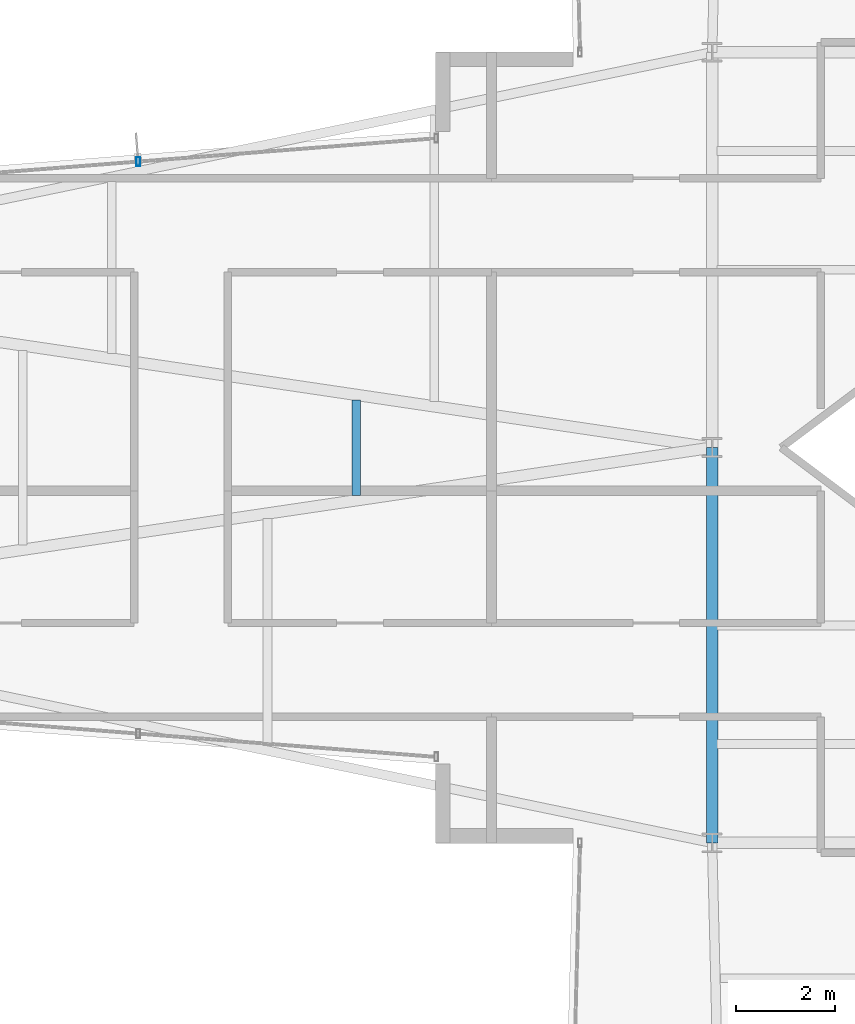
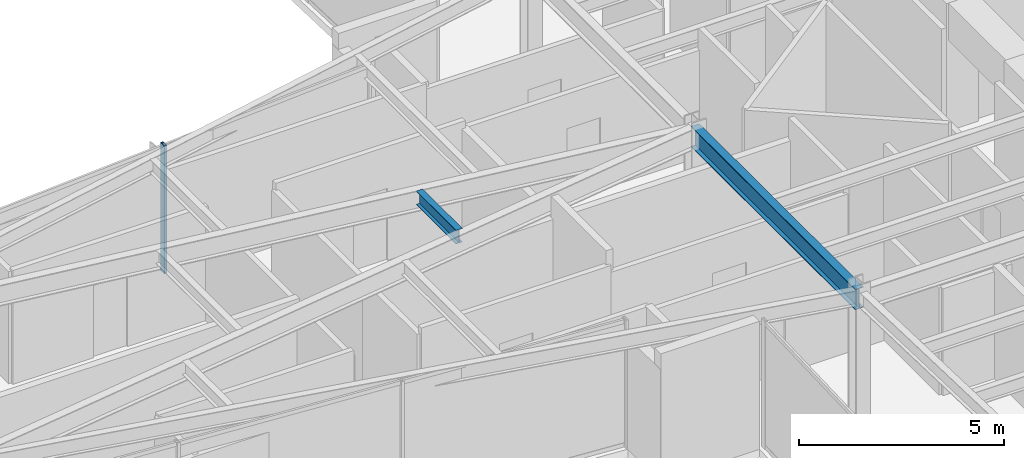
# One storey, part 11 of 30: 2 beams, 1 member, 1 element without a shape of its own.
"""IFC4 building model written with IfcOpenShell, lengths in metres."""

from ifc_helpers import new_model, si_unit, direction, frame, origin, origin_2d, place, context, subcontext, project, spatial, hollow_rectangle, i_section, extrude, material, layer, layer_set, material_profile, profile_set, type_object, element, aggregate, save


model = new_model("IFC4")

# Units and contexts
model_context = context("Model", 3, precision=1e-05, world=origin(), true_north=direction((0.0, 1.0)))
body_context = subcontext(model_context, "Body", "Model", "MODEL_VIEW")
ifc_project = project(units=[si_unit("LENGTHUNIT", "METRE"), si_unit("AREAUNIT", "SQUARE_METRE"), si_unit("VOLUMEUNIT", "CUBIC_METRE"), si_unit("PLANEANGLEUNIT", "RADIAN"), si_unit("MASSUNIT", "GRAM", prefix="KILO")], contexts=[model_context])

# Site, building, storey
site_placement = place(None, origin())
site = spatial("IfcSite", under=ifc_project, at=site_placement, CompositionType="ELEMENT")
building_placement = place(site_placement, origin())
building = spatial("IfcBuilding", under=site, at=building_placement, Name="Veymaron Broadcast Tower", CompositionType="ELEMENT")
storey_placement = place(building_placement, frame((0.0, 0.0, 66.14990234375)))
storey = spatial("IfcBuildingStorey", under=building, at=storey_placement, Name="L14", CompositionType="ELEMENT", Elevation=66.14990234375)

# Beams
ifc_material_1 = material(Name="Structural steel ASTM A992 Gr 50", Category="steel")
ifc_material_profile_1 = material_profile(ifc_material_1, i_section(OverallWidth=0.22998046875, OverallDepth=0.616943359375, WebThickness=0.01318359375, FlangeThickness=0.022216796875, at=origin_2d()), Name="W610X140")
ifc_profile_set_1 = profile_set([ifc_material_profile_1], Name="Structural steel ASTM A992 Gr 50")
beam_type_1 = type_object("IfcBeamType", Name="BM-FG1", PredefinedType="BEAM", material=ifc_profile_set_1)
beam_1_placement = place(storey_placement, frame((31.199951171875, 16.0, 3.501708984375), z_axis=(0.0, 1.0, 0.0), x_axis=(-1.0, 0.0, 0.0)))
element("IfcBeam", 1, at=beam_1_placement, inside=storey, type_object=beam_type_1, Name="L14 primary structural floor girder", PredefinedType="BEAM", context=body_context, shape_type="SweptSolid", body=[
    extrude(i_section(OverallWidth=0.22998046875, OverallDepth=0.616943359375, WebThickness=0.01318359375, FlangeThickness=0.022216796875, at=origin_2d()), origin(), (0.0, 0.0, 1.0), 8.0),
])
ifc_material_profile_2 = material_profile(ifc_material_1, i_section(OverallWidth=0.177978515625, OverallDepth=0.406982421875, WebThickness=0.0078125, FlangeThickness=0.0126953125, at=origin_2d()), Name="W410X60")
ifc_profile_set_2 = profile_set([ifc_material_profile_2], Name="Structural steel ASTM A992 Gr 50")
beam_type_2 = type_object("IfcBeamType", Name="BM-JS1", PredefinedType="JOIST", material=ifc_profile_set_2)
beam_2_placement = place(storey_placement, frame((23.9990234375, 23.03271484375, 3.606689453125), z_axis=(0.0, 1.0, 0.0), x_axis=(-1.0, 0.0, 0.0)))
element("IfcBeam", 2, at=beam_2_placement, inside=storey, type_object=beam_type_2, Name="L14 Arm-A secondary joist 2M", PredefinedType="JOIST", context=body_context, shape_type="SweptSolid", body=[
    extrude(i_section(OverallWidth=0.177978515625, OverallDepth=0.406982421875, WebThickness=0.0078125, FlangeThickness=0.0126953125, at=origin_2d()), origin(), (0.0, 0.0, 1.0), 1.9345703125),
])

# Curtain wall, member
ifc_material_2 = material(Name="Anodised aluminium AA 6063-T6 and laminated low-E dark glass", Category="aluminium")
ifc_layer = layer(ifc_material_2, 0.179931640625)
ifc_layer_set = layer_set([ifc_layer], Name="Anodised aluminium AA 6063-T6 and laminated low-E dark glass")
curtain_wall_type = type_object("IfcCurtainWallType", Name="CW-SYS-02", PredefinedType="NOTDEFINED", material=ifc_layer_set)
curtain_wall_placement = place(storey_placement, origin())
curtain_wall = element("IfcCurtainWall", 3, at=curtain_wall_placement, inside=storey, type_object=curtain_wall_type, Name="L14 dark-glass curtain wall CW-L14-E11-1", PredefinedType="NOTDEFINED")
ifc_material_3 = material(Name="Anodised aluminium AA 6063-T6", Category="aluminium")
ifc_material_profile_3 = material_profile(ifc_material_3, hollow_rectangle(XDim=0.074951171875, YDim=0.179931640625, WallThickness=0.0048828125, at=origin_2d()), Name="AL180X75X5")
ifc_profile_set_3 = profile_set([ifc_material_profile_3], Name="Anodised aluminium AA 6063-T6")
member_type = type_object("IfcMemberType", Name="CW-MUL-02", PredefinedType="MULLION", material=ifc_profile_set_3)
member_placement = place(storey_placement, frame((19.5830078125, 29.788330078125, 0.0), z_axis=(0.0, 0.0, 1.0), x_axis=(1.0, 0.0, 0.0)))
member = element("IfcMember", 4, at=member_placement, type_object=member_type, Name="CW-L14-E11-1 mullion 1", PredefinedType="MULLION", context=body_context, shape_type="SweptSolid", body=[
    extrude(hollow_rectangle(XDim=0.074951171875, YDim=0.179931640625, WallThickness=0.0048828125, at=origin_2d()), origin(), (0.0, 0.0, 1.0), 3.81005859375),
])
aggregate(curtain_wall, [member])

save(model, "model.ifc")
